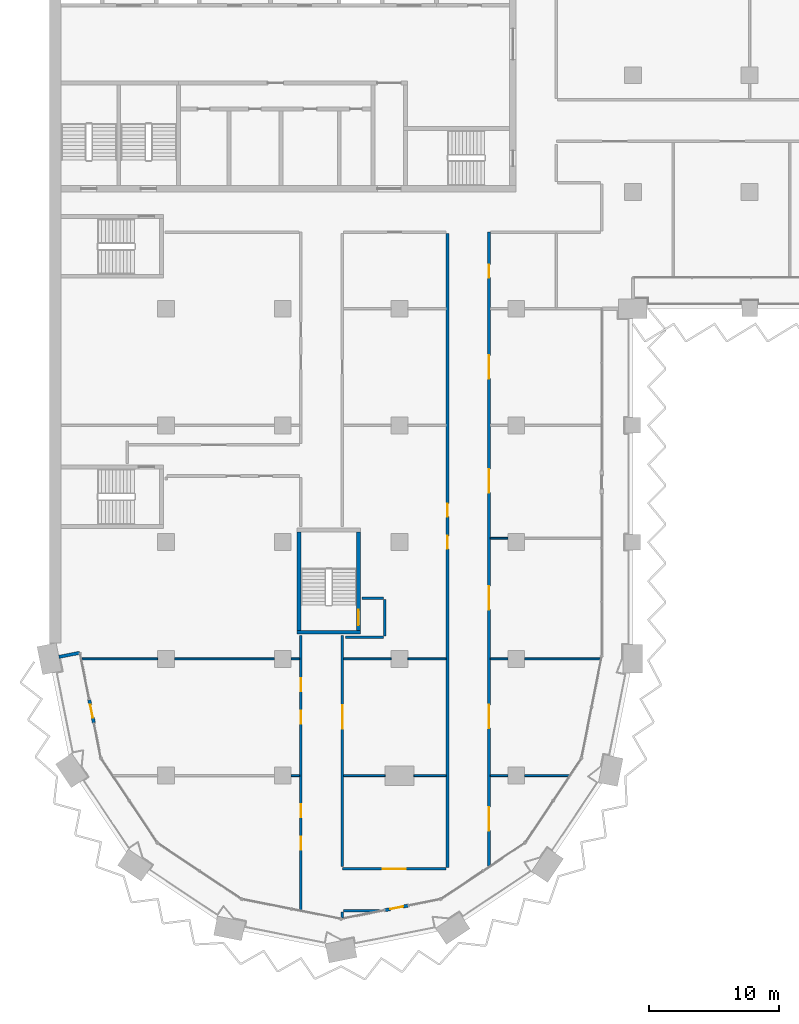
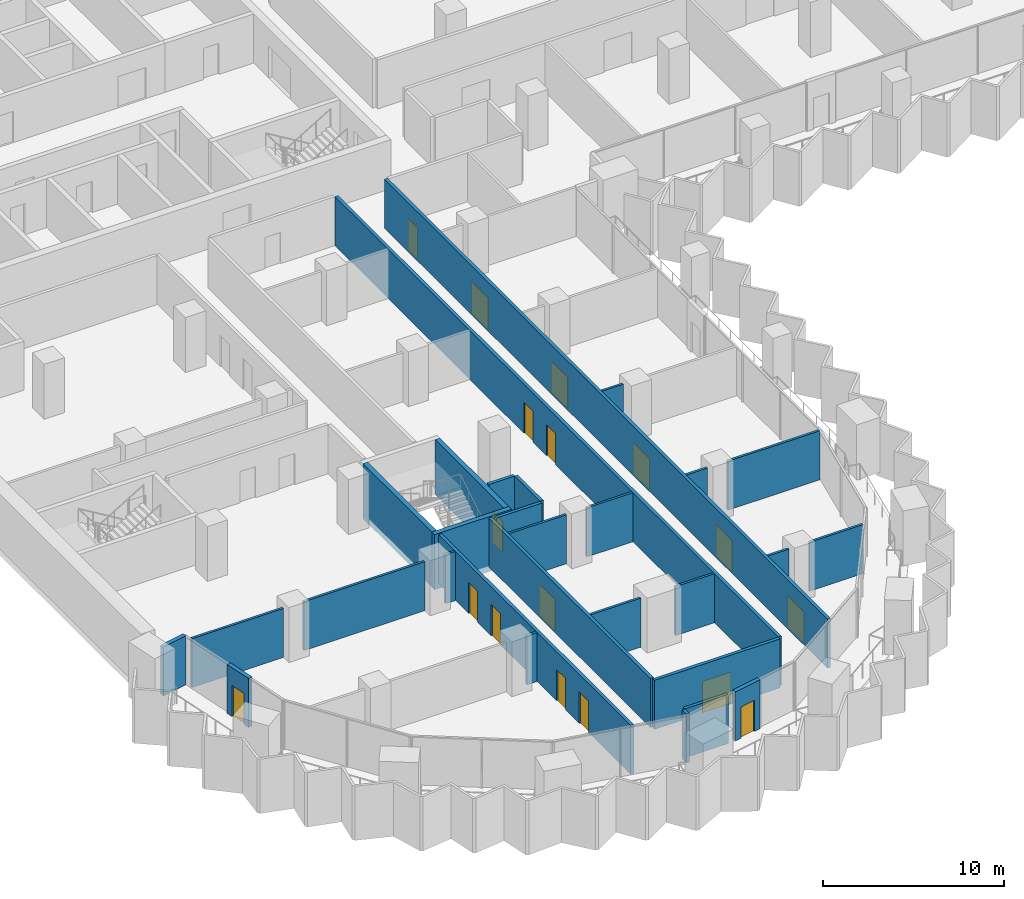
# One storey, part 9 of 22: 29 walls, 17 doors, 17 openings.
"""IFC4 building model written with IfcOpenShell, lengths in metres."""

from ifc_helpers import new_model, si_unit, direction, frame, frame_2d, origin, place, context, subcontext, project, spatial, rectangle, extrude, material, layer, layer_set, type_object, element, fill, save


model = new_model("IFC4")

# Units and contexts
model_context = context("Model", 3, precision=1e-05, world=origin(), true_north=direction((0.0, 1.0)))
body_context = subcontext(model_context, "Body", "Model", "MODEL_VIEW")
ifc_project = project(units=[si_unit("LENGTHUNIT", "METRE"), si_unit("AREAUNIT", "SQUARE_METRE"), si_unit("VOLUMEUNIT", "CUBIC_METRE"), si_unit("PLANEANGLEUNIT", "RADIAN"), si_unit("MASSUNIT", "GRAM", prefix="KILO")], contexts=[model_context])

# Site, building, storey
site_placement = place(None, origin())
site = spatial("IfcSite", under=ifc_project, at=site_placement, CompositionType="ELEMENT")
building_placement = place(site_placement, origin())
building = spatial("IfcBuilding", under=site, at=building_placement, Name="Hunhe Ridgeline Campus", CompositionType="ELEMENT")
storey_placement = place(building_placement, frame((0.0, 0.0, 84.800048828125)))
storey = spatial("IfcBuildingStorey", under=building, at=storey_placement, Name="L20", CompositionType="ELEMENT", Elevation=84.800048828125)

# Walls
ifc_material_1 = material(Name="Concrete C30", Category="concrete")
ifc_layer_1 = layer(ifc_material_1, 0.25)
ifc_layer_set_1 = layer_set([ifc_layer_1], Name="Corner return wall 250 Concrete C30")
wall_type_1 = type_object("IfcWallType", Name="Corner return wall 250 Concrete C30", PredefinedType="SOLIDWALL", material=ifc_layer_set_1)
wall_1_placement = place(storey_placement, frame((0.7353515625, 27.14697265625, 0.0), z_axis=(0.0, 0.0, 1.0), x_axis=(0.980824468215, 0.194893208067, 0.0)))
element("IfcWall", 1, at=wall_1_placement, inside=storey, type_object=wall_type_1, Name="Corner return wall 1", PredefinedType="SOLIDWALL", context=body_context, shape_type="SweptSolid", body=[
    extrude(rectangle(XDim=1.651123046875, YDim=0.25, at=frame_2d((0.82568359375, 0.0))), origin(), (0.0, 0.0, 1.0), 3.300048828125),
])
ifc_material_2 = material(Name="Gypsum board partition")
ifc_layer_2 = layer(ifc_material_2, 0.199951171875)
ifc_layer_set_2 = layer_set([ifc_layer_2], Name="Corridor partition 200 gypsum board on steel studs")
wall_type_2 = type_object("IfcWallType", Name="Corridor partition 200 gypsum board on steel studs", PredefinedType="PARTITIONING", material=ifc_layer_set_2)
wall_2_placement = place(storey_placement, frame((25.45068359375, 7.590087890625, 0.0), z_axis=(0.0, 0.0, 1.0), x_axis=(-1.0, 0.0, 0.0)))
element("IfcWall", 2, at=wall_2_placement, inside=storey, type_object=wall_type_2, Name="F-L20-wall-001", PredefinedType="PARTITIONING", context=body_context, shape_type="SweptSolid", body=[
    extrude(rectangle(XDim=2.750732421875, YDim=0.199951171875, at=frame_2d((1.37548828125, 0.0))), origin(), (0.0, 0.0, 1.0), 3.300048828125),
])

# Wall, opening, door
wall_3_placement = place(storey_placement, frame((22.60009765625, 10.799072265625, 0.0), z_axis=(0.0, 0.0, 1.0), x_axis=(1.0, 0.0, 0.0)))
wall_3 = element("IfcWall", 3, at=wall_3_placement, inside=storey, type_object=wall_type_2, Name="F-L20-wall-002", PredefinedType="PARTITIONING", context=body_context, shape_type="SweptSolid", body=[
    extrude(rectangle(XDim=8.0, YDim=0.199951171875, at=frame_2d((4.0, 0.0))), origin(), (0.0, 0.0, 1.0), 3.300048828125),
])
opening_1_placement = place(wall_3_placement, frame((3.10009765625, 0.0, 0.0)))
opening_1 = element("IfcOpeningElement", 4, at=opening_1_placement, cuts=wall_3, Name="Opening RD2-001", PredefinedType="OPENING", context=body_context, shape_type="SweptSolid", body=[
    extrude(rectangle(XDim=1.800048828125, YDim=2.10009765625, at=frame_2d((0.89990234375, 1.050048828125))), frame((0.0, 0.10009765625, 0.0), z_axis=(0.0, -1.0, 0.0), x_axis=(1.0, 0.0, 0.0)), (0.0, 0.0, 1.0), 0.199951171875),
])
ifc_material_3 = material(Name="Timber door leaf", Category="wood")
door_type_1 = type_object("IfcDoorType", Name="Double fire door 1800x2100 timber FD60", OperationType="DOUBLE_DOOR_SINGLE_SWING", PredefinedType="DOOR", material=ifc_material_3)
door_1_placement = place(opening_1_placement, origin())
door_1 = element("IfcDoor", 5, at=door_1_placement, inside=storey, type_object=door_type_1, Name="F-L20-door-001", OperationType="DOUBLE_DOOR_SINGLE_SWING", OverallHeight=2.10009765625, OverallWidth=1.800048828125, PredefinedType="DOOR", context=body_context, shape_type="SweptSolid", body=[
    extrude(rectangle(XDim=1.800048828125, YDim=2.10009765625, at=frame_2d((0.89990234375, 1.050048828125))), frame((0.0, 0.02490234375, 0.0), z_axis=(0.0, -1.0, 0.0), x_axis=(1.0, 0.0, 0.0)), (0.0, 0.0, 1.0), 0.050048828125),
])
fill(opening_1, door_1)

# Walls
wall_4_placement = place(storey_placement, frame((25.75, 28.675048828125, 0.0), z_axis=(0.0, 0.0, 1.0), x_axis=(-1.0, 0.0, 0.0)))
element("IfcWall", 6, at=wall_4_placement, inside=storey, type_object=wall_type_2, Name="F-L20-wall-017", PredefinedType="PARTITIONING", context=body_context, shape_type="SweptSolid", body=[
    extrude(rectangle(XDim=2.89990234375, YDim=0.199951171875, at=frame_2d((1.449951171875, 0.0))), origin(), (0.0, 0.0, 1.0), 3.300048828125),
])
wall_5_placement = place(storey_placement, frame((24.10400390625, 31.675048828125, 0.0), z_axis=(0.0, 0.0, 1.0), x_axis=(1.0, 0.0, 0.0)))
element("IfcWall", 7, at=wall_5_placement, inside=storey, type_object=wall_type_2, Name="F-L20-wall-018", PredefinedType="PARTITIONING", context=body_context, shape_type="SweptSolid", body=[
    extrude(rectangle(XDim=1.64599609375, YDim=0.199951171875, at=frame_2d((0.822998046875, 0.0))), origin(), (0.0, 0.0, 1.0), 3.300048828125),
])

# Wall, openings, doors
wall_6_placement = place(storey_placement, frame((19.39990234375, 7.61962890625, 0.0), z_axis=(0.0, 0.0, 1.0), x_axis=(0.0, 1.0, 0.0)))
wall_6 = element("IfcWall", 8, at=wall_6_placement, inside=storey, type_object=wall_type_2, Name="F-L20-wall-046", PredefinedType="PARTITIONING", context=body_context, shape_type="SweptSolid", body=[
    extrude(rectangle(XDim=21.17626953125, YDim=0.199951171875, at=frame_2d((10.588134765625, 0.0))), origin(), (0.0, 0.0, 1.0), 3.300048828125),
])
opening_2_placement = place(wall_6_placement, frame((4.66796875, 0.0, 0.0)))
opening_2 = element("IfcOpeningElement", 9, at=opening_2_placement, cuts=wall_6, Name="Opening RD1-002", PredefinedType="OPENING", context=body_context, shape_type="SweptSolid", body=[
    extrude(rectangle(XDim=1.0, YDim=2.10009765625, at=frame_2d((0.5, 1.050048828125))), frame((0.0, 0.10009765625, 0.0), z_axis=(0.0, -1.0, 0.0), x_axis=(1.0, 0.0, 0.0)), (0.0, 0.0, 1.0), 0.199951171875),
])
opening_3_placement = place(wall_6_placement, frame((7.16796875, 0.0, 0.0)))
opening_3 = element("IfcOpeningElement", 10, at=opening_3_placement, cuts=wall_6, Name="Opening RD1-004", PredefinedType="OPENING", context=body_context, shape_type="SweptSolid", body=[
    extrude(rectangle(XDim=1.0, YDim=2.10009765625, at=frame_2d((0.5, 1.050048828125))), frame((0.0, 0.10009765625, 0.0), z_axis=(0.0, -1.0, 0.0), x_axis=(1.0, 0.0, 0.0)), (0.0, 0.0, 1.0), 0.199951171875),
])
opening_4_placement = place(wall_6_placement, frame((14.373779296875, 0.0, 0.0)))
opening_4 = element("IfcOpeningElement", 11, at=opening_4_placement, cuts=wall_6, Name="Opening RD1-005", PredefinedType="OPENING", context=body_context, shape_type="SweptSolid", body=[
    extrude(rectangle(XDim=1.0, YDim=2.10009765625, at=frame_2d((0.5, 1.050048828125))), frame((0.0, 0.10009765625, 0.0), z_axis=(0.0, -1.0, 0.0), x_axis=(1.0, 0.0, 0.0)), (0.0, 0.0, 1.0), 0.199951171875),
])
opening_5_placement = place(wall_6_placement, frame((16.873779296875, 0.0, 0.0)))
opening_5 = element("IfcOpeningElement", 12, at=opening_5_placement, cuts=wall_6, Name="Opening RD1-008", PredefinedType="OPENING", context=body_context, shape_type="SweptSolid", body=[
    extrude(rectangle(XDim=1.0, YDim=2.10009765625, at=frame_2d((0.5, 1.050048828125))), frame((0.0, 0.10009765625, 0.0), z_axis=(0.0, -1.0, 0.0), x_axis=(1.0, 0.0, 0.0)), (0.0, 0.0, 1.0), 0.199951171875),
])
door_type_2 = type_object("IfcDoorType", Name="Single fire door 1000x2100 timber FD60", OperationType="NOTDEFINED", PredefinedType="DOOR", material=ifc_material_3)
door_2_placement = place(opening_2_placement, frame((1.0, 0.0, 0.0), z_axis=(0.0, 0.0, 1.0), x_axis=(-1.0, 0.0, 0.0)))
door_2 = element("IfcDoor", 13, at=door_2_placement, inside=storey, type_object=door_type_2, Name="F-L20-door-002", OperationType="SINGLE_SWING_RIGHT", OverallHeight=2.10009765625, OverallWidth=1.0, PredefinedType="DOOR", context=body_context, shape_type="SweptSolid", body=[
    extrude(rectangle(XDim=1.0, YDim=2.10009765625, at=frame_2d((0.5, 1.050048828125))), frame((0.0, 0.02490234375, 0.0), z_axis=(0.0, -1.0, 0.0), x_axis=(1.0, 0.0, 0.0)), (0.0, 0.0, 1.0), 0.050048828125),
])
fill(opening_2, door_2)
door_3_placement = place(opening_3_placement, frame((1.0, 0.0, 0.0), z_axis=(0.0, 0.0, 1.0), x_axis=(-1.0, 0.0, 0.0)))
door_3 = element("IfcDoor", 14, at=door_3_placement, inside=storey, type_object=door_type_2, Name="F-L20-door-004", OperationType="SINGLE_SWING_LEFT", OverallHeight=2.10009765625, OverallWidth=1.0, PredefinedType="DOOR", context=body_context, shape_type="SweptSolid", body=[
    extrude(rectangle(XDim=1.0, YDim=2.10009765625, at=frame_2d((0.5, 1.050048828125))), frame((0.0, 0.02490234375, 0.0), z_axis=(0.0, -1.0, 0.0), x_axis=(1.0, 0.0, 0.0)), (0.0, 0.0, 1.0), 0.050048828125),
])
fill(opening_3, door_3)
door_4_placement = place(opening_4_placement, frame((1.0, 0.0, 0.0), z_axis=(0.0, 0.0, 1.0), x_axis=(-1.0, 0.0, 0.0)))
door_4 = element("IfcDoor", 15, at=door_4_placement, inside=storey, type_object=door_type_2, Name="F-L20-door-005", OperationType="SINGLE_SWING_LEFT", OverallHeight=2.10009765625, OverallWidth=1.0, PredefinedType="DOOR", context=body_context, shape_type="SweptSolid", body=[
    extrude(rectangle(XDim=1.0, YDim=2.10009765625, at=frame_2d((0.5, 1.050048828125))), frame((0.0, 0.02490234375, 0.0), z_axis=(0.0, -1.0, 0.0), x_axis=(1.0, 0.0, 0.0)), (0.0, 0.0, 1.0), 0.050048828125),
])
fill(opening_4, door_4)
door_5_placement = place(opening_5_placement, frame((1.0, 0.0, 0.0), z_axis=(0.0, 0.0, 1.0), x_axis=(-1.0, 0.0, 0.0)))
door_5 = element("IfcDoor", 16, at=door_5_placement, inside=storey, type_object=door_type_2, Name="F-L20-door-008", OperationType="SINGLE_SWING_LEFT", OverallHeight=2.10009765625, OverallWidth=1.0, PredefinedType="DOOR", context=body_context, shape_type="SweptSolid", body=[
    extrude(rectangle(XDim=1.0, YDim=2.10009765625, at=frame_2d((0.5, 1.050048828125))), frame((0.0, 0.02490234375, 0.0), z_axis=(0.0, -1.0, 0.0), x_axis=(1.0, 0.0, 0.0)), (0.0, 0.0, 1.0), 0.050048828125),
])
fill(opening_5, door_5)

# Wall, opening, door
wall_7_placement = place(storey_placement, frame((22.60009765625, 28.7958984375, 0.0), z_axis=(0.0, 0.0, 1.0), x_axis=(0.0, -1.0, 0.0)))
wall_7 = element("IfcWall", 17, at=wall_7_placement, inside=storey, type_object=wall_type_2, Name="F-L20-wall-049", PredefinedType="PARTITIONING", context=body_context, shape_type="SweptSolid", body=[
    extrude(rectangle(XDim=17.814208984375, YDim=0.199951171875, at=frame_2d((8.9072265625, 0.0))), origin(), (0.0, 0.0, 1.0), 3.300048828125),
])
opening_6_placement = place(wall_7_placement, frame((5.37255859375, 0.0, 0.0)))
opening_6 = element("IfcOpeningElement", 18, at=opening_6_placement, cuts=wall_7, Name="Opening RD2-006", PredefinedType="OPENING", context=body_context, shape_type="SweptSolid", body=[
    extrude(rectangle(XDim=1.800048828125, YDim=2.10009765625, at=frame_2d((0.89990234375, 1.050048828125))), frame((0.0, 0.10009765625, 0.0), z_axis=(0.0, -1.0, 0.0), x_axis=(1.0, 0.0, 0.0)), (0.0, 0.0, 1.0), 0.199951171875),
])
door_6_placement = place(opening_6_placement, origin())
door_6 = element("IfcDoor", 19, at=door_6_placement, inside=storey, type_object=door_type_1, Name="F-L20-door-006", OperationType="DOUBLE_DOOR_SINGLE_SWING", OverallHeight=2.10009765625, OverallWidth=1.800048828125, PredefinedType="DOOR", context=body_context, shape_type="SweptSolid", body=[
    extrude(rectangle(XDim=1.800048828125, YDim=2.10009765625, at=frame_2d((0.89990234375, 1.050048828125))), frame((0.0, 0.02490234375, 0.0), z_axis=(0.0, -1.0, 0.0), x_axis=(1.0, 0.0, 0.0)), (0.0, 0.0, 1.0), 0.050048828125),
])
fill(opening_6, door_6)

# Walls
wall_8_placement = place(storey_placement, frame((22.60009765625, 7.489990234375, 0.0), z_axis=(0.0, 0.0, 1.0), x_axis=(0.0, -1.0, 0.0)))
element("IfcWall", 20, at=wall_8_placement, inside=storey, type_object=wall_type_2, Name="F-L20-wall-050", PredefinedType="PARTITIONING", context=body_context, shape_type="SweptSolid", body=[
    extrude(rectangle(XDim=0.467041015625, YDim=0.199951171875, at=frame_2d((0.2333984375, 0.0))), origin(), (0.0, 0.0, 1.0), 3.300048828125),
])
wall_9_placement = place(storey_placement, frame((25.85009765625, 31.574951171875, 0.0), z_axis=(0.0, 0.0, 1.0), x_axis=(0.0, -1.0, 0.0)))
element("IfcWall", 21, at=wall_9_placement, inside=storey, type_object=wall_type_2, Name="F-L20-wall-052", PredefinedType="PARTITIONING", context=body_context, shape_type="SweptSolid", body=[
    extrude(rectangle(XDim=2.800048828125, YDim=0.199951171875, at=frame_2d((1.39990234375, 0.0))), origin(), (0.0, 0.0, 1.0), 3.300048828125),
])

# Wall, openings, doors
wall_10_placement = place(storey_placement, frame((30.699951171875, 10.89892578125, 0.0), z_axis=(0.0, 0.0, 1.0), x_axis=(0.0, 1.0, 0.0)))
wall_10 = element("IfcWall", 22, at=wall_10_placement, inside=storey, type_object=wall_type_2, Name="F-L20-wall-053", PredefinedType="PARTITIONING", context=body_context, shape_type="SweptSolid", body=[
    extrude(rectangle(XDim=48.901123046875, YDim=0.199951171875, at=frame_2d((24.45068359375, 0.0))), origin(), (0.0, 0.0, 1.0), 3.300048828125),
])
opening_7_placement = place(wall_10_placement, frame((24.577392578125, 0.0, 0.0)))
opening_7 = element("IfcOpeningElement", 23, at=opening_7_placement, cuts=wall_10, Name="Opening RD1-010", PredefinedType="OPENING", context=body_context, shape_type="SweptSolid", body=[
    extrude(rectangle(XDim=1.0, YDim=2.10009765625, at=frame_2d((0.5, 1.050048828125))), frame((0.0, 0.10009765625, 0.0), z_axis=(0.0, -1.0, 0.0), x_axis=(1.0, 0.0, 0.0)), (0.0, 0.0, 1.0), 0.199951171875),
])
opening_8_placement = place(wall_10_placement, frame((27.077392578125, 0.0, 0.0)))
opening_8 = element("IfcOpeningElement", 24, at=opening_8_placement, cuts=wall_10, Name="Opening RD1-011", PredefinedType="OPENING", context=body_context, shape_type="SweptSolid", body=[
    extrude(rectangle(XDim=1.0, YDim=2.10009765625, at=frame_2d((0.5, 1.050048828125))), frame((0.0, 0.10009765625, 0.0), z_axis=(0.0, -1.0, 0.0), x_axis=(1.0, 0.0, 0.0)), (0.0, 0.0, 1.0), 0.199951171875),
])
door_7_placement = place(opening_7_placement, frame((1.0, 0.0, 0.0), z_axis=(0.0, 0.0, 1.0), x_axis=(-1.0, 0.0, 0.0)))
door_7 = element("IfcDoor", 25, at=door_7_placement, inside=storey, type_object=door_type_2, Name="F-L20-door-010", OperationType="SINGLE_SWING_RIGHT", OverallHeight=2.10009765625, OverallWidth=1.0, PredefinedType="DOOR", context=body_context, shape_type="SweptSolid", body=[
    extrude(rectangle(XDim=1.0, YDim=2.10009765625, at=frame_2d((0.5, 1.050048828125))), frame((0.0, 0.02490234375, 0.0), z_axis=(0.0, -1.0, 0.0), x_axis=(1.0, 0.0, 0.0)), (0.0, 0.0, 1.0), 0.050048828125),
])
fill(opening_7, door_7)
door_8_placement = place(opening_8_placement, frame((1.0, 0.0, 0.0), z_axis=(0.0, 0.0, 1.0), x_axis=(-1.0, 0.0, 0.0)))
door_8 = element("IfcDoor", 26, at=door_8_placement, inside=storey, type_object=door_type_2, Name="F-L20-door-011", OperationType="SINGLE_SWING_LEFT", OverallHeight=2.10009765625, OverallWidth=1.0, PredefinedType="DOOR", context=body_context, shape_type="SweptSolid", body=[
    extrude(rectangle(XDim=1.0, YDim=2.10009765625, at=frame_2d((0.5, 1.050048828125))), frame((0.0, 0.02490234375, 0.0), z_axis=(0.0, -1.0, 0.0), x_axis=(1.0, 0.0, 0.0)), (0.0, 0.0, 1.0), 0.050048828125),
])
fill(opening_8, door_8)

wall_11_placement = place(storey_placement, frame((33.89990234375, 59.89990234375, 0.0), z_axis=(0.0, 0.0, 1.0), x_axis=(0.0, -1.0, 0.0)))
wall_11 = element("IfcWall", 27, at=wall_11_placement, inside=storey, type_object=wall_type_2, Name="F-L20-wall-054", PredefinedType="PARTITIONING", context=body_context, shape_type="SweptSolid", body=[
    extrude(rectangle(XDim=48.87060546875, YDim=0.199951171875, at=frame_2d((24.435302734375, 0.0))), origin(), (0.0, 0.0, 1.0), 3.300048828125),
])
opening_9_placement = place(wall_11_placement, frame((44.336669921875, 0.0, 0.0)))
opening_9 = element("IfcOpeningElement", 28, at=opening_9_placement, cuts=wall_11, Name="Opening RD2-003", PredefinedType="OPENING", context=body_context, shape_type="SweptSolid", body=[
    extrude(rectangle(XDim=1.800048828125, YDim=2.10009765625, at=frame_2d((0.89990234375, 1.050048828125))), frame((0.0, 0.10009765625, 0.0), z_axis=(0.0, -1.0, 0.0), x_axis=(1.0, 0.0, 0.0)), (0.0, 0.0, 1.0), 0.199951171875),
])
opening_10_placement = place(wall_11_placement, frame((36.442138671875, 0.0, 0.0)))
opening_10 = element("IfcOpeningElement", 29, at=opening_10_placement, cuts=wall_11, Name="Opening RD2-007", PredefinedType="OPENING", context=body_context, shape_type="SweptSolid", body=[
    extrude(rectangle(XDim=1.800048828125, YDim=2.10009765625, at=frame_2d((0.89990234375, 1.050048828125))), frame((0.0, 0.10009765625, 0.0), z_axis=(0.0, -1.0, 0.0), x_axis=(1.0, 0.0, 0.0)), (0.0, 0.0, 1.0), 0.199951171875),
])
opening_11_placement = place(wall_11_placement, frame((27.294677734375, 0.0, 0.0)))
opening_11 = element("IfcOpeningElement", 30, at=opening_11_placement, cuts=wall_11, Name="Opening RD2-009", PredefinedType="OPENING", context=body_context, shape_type="SweptSolid", body=[
    extrude(rectangle(XDim=1.800048828125, YDim=2.10009765625, at=frame_2d((0.89990234375, 1.050048828125))), frame((0.0, 0.10009765625, 0.0), z_axis=(0.0, -1.0, 0.0), x_axis=(1.0, 0.0, 0.0)), (0.0, 0.0, 1.0), 0.199951171875),
])
opening_12_placement = place(wall_11_placement, frame((18.2724609375, 0.0, 0.0)))
opening_12 = element("IfcOpeningElement", 31, at=opening_12_placement, cuts=wall_11, Name="Opening RD2-012", PredefinedType="OPENING", context=body_context, shape_type="SweptSolid", body=[
    extrude(rectangle(XDim=1.800048828125, YDim=2.10009765625, at=frame_2d((0.89990234375, 1.050048828125))), frame((0.0, 0.10009765625, 0.0), z_axis=(0.0, -1.0, 0.0), x_axis=(1.0, 0.0, 0.0)), (0.0, 0.0, 1.0), 0.199951171875),
])
opening_13_placement = place(wall_11_placement, frame((9.500732421875, 0.0, 0.0)))
opening_13 = element("IfcOpeningElement", 32, at=opening_13_placement, cuts=wall_11, Name="Opening RD2-017", PredefinedType="OPENING", context=body_context, shape_type="SweptSolid", body=[
    extrude(rectangle(XDim=1.800048828125, YDim=2.10009765625, at=frame_2d((0.89990234375, 1.050048828125))), frame((0.0, 0.10009765625, 0.0), z_axis=(0.0, -1.0, 0.0), x_axis=(1.0, 0.0, 0.0)), (0.0, 0.0, 1.0), 0.199951171875),
])
opening_14_placement = place(wall_11_placement, frame((2.50732421875, 0.0, 0.0)))
opening_14 = element("IfcOpeningElement", 33, at=opening_14_placement, cuts=wall_11, Name="Opening RD1-020", PredefinedType="OPENING", context=body_context, shape_type="SweptSolid", body=[
    extrude(rectangle(XDim=1.0, YDim=2.10009765625, at=frame_2d((0.5, 1.050048828125))), frame((0.0, 0.10009765625, 0.0), z_axis=(0.0, -1.0, 0.0), x_axis=(1.0, 0.0, 0.0)), (0.0, 0.0, 1.0), 0.199951171875),
])
door_9_placement = place(opening_9_placement, origin())
door_9 = element("IfcDoor", 34, at=door_9_placement, inside=storey, type_object=door_type_1, Name="F-L20-door-003", OperationType="DOUBLE_DOOR_SINGLE_SWING", OverallHeight=2.10009765625, OverallWidth=1.800048828125, PredefinedType="DOOR", context=body_context, shape_type="SweptSolid", body=[
    extrude(rectangle(XDim=1.800048828125, YDim=2.10009765625, at=frame_2d((0.89990234375, 1.050048828125))), frame((0.0, 0.02490234375, 0.0), z_axis=(0.0, -1.0, 0.0), x_axis=(1.0, 0.0, 0.0)), (0.0, 0.0, 1.0), 0.050048828125),
])
fill(opening_9, door_9)
door_10_placement = place(opening_10_placement, origin())
door_10 = element("IfcDoor", 35, at=door_10_placement, inside=storey, type_object=door_type_1, Name="F-L20-door-007", OperationType="DOUBLE_DOOR_SINGLE_SWING", OverallHeight=2.10009765625, OverallWidth=1.800048828125, PredefinedType="DOOR", context=body_context, shape_type="SweptSolid", body=[
    extrude(rectangle(XDim=1.800048828125, YDim=2.10009765625, at=frame_2d((0.89990234375, 1.050048828125))), frame((0.0, 0.02490234375, 0.0), z_axis=(0.0, -1.0, 0.0), x_axis=(1.0, 0.0, 0.0)), (0.0, 0.0, 1.0), 0.050048828125),
])
fill(opening_10, door_10)
door_11_placement = place(opening_11_placement, origin())
door_11 = element("IfcDoor", 36, at=door_11_placement, inside=storey, type_object=door_type_1, Name="F-L20-door-009", OperationType="DOUBLE_DOOR_SINGLE_SWING", OverallHeight=2.10009765625, OverallWidth=1.800048828125, PredefinedType="DOOR", context=body_context, shape_type="SweptSolid", body=[
    extrude(rectangle(XDim=1.800048828125, YDim=2.10009765625, at=frame_2d((0.89990234375, 1.050048828125))), frame((0.0, 0.02490234375, 0.0), z_axis=(0.0, -1.0, 0.0), x_axis=(1.0, 0.0, 0.0)), (0.0, 0.0, 1.0), 0.050048828125),
])
fill(opening_11, door_11)
door_12_placement = place(opening_12_placement, origin())
door_12 = element("IfcDoor", 37, at=door_12_placement, inside=storey, type_object=door_type_1, Name="F-L20-door-012", OperationType="DOUBLE_DOOR_SINGLE_SWING", OverallHeight=2.10009765625, OverallWidth=1.800048828125, PredefinedType="DOOR", context=body_context, shape_type="SweptSolid", body=[
    extrude(rectangle(XDim=1.800048828125, YDim=2.10009765625, at=frame_2d((0.89990234375, 1.050048828125))), frame((0.0, 0.02490234375, 0.0), z_axis=(0.0, -1.0, 0.0), x_axis=(1.0, 0.0, 0.0)), (0.0, 0.0, 1.0), 0.050048828125),
])
fill(opening_12, door_12)
door_13_placement = place(opening_13_placement, origin())
door_13 = element("IfcDoor", 38, at=door_13_placement, inside=storey, type_object=door_type_1, Name="F-L20-door-017", OperationType="DOUBLE_DOOR_SINGLE_SWING", OverallHeight=2.10009765625, OverallWidth=1.800048828125, PredefinedType="DOOR", context=body_context, shape_type="SweptSolid", body=[
    extrude(rectangle(XDim=1.800048828125, YDim=2.10009765625, at=frame_2d((0.89990234375, 1.050048828125))), frame((0.0, 0.02490234375, 0.0), z_axis=(0.0, -1.0, 0.0), x_axis=(1.0, 0.0, 0.0)), (0.0, 0.0, 1.0), 0.050048828125),
])
fill(opening_13, door_13)
door_14_placement = place(opening_14_placement, origin())
door_14 = element("IfcDoor", 39, at=door_14_placement, inside=storey, type_object=door_type_2, Name="F-L20-door-020", OperationType="SINGLE_SWING_LEFT", OverallHeight=2.10009765625, OverallWidth=1.0, PredefinedType="DOOR", context=body_context, shape_type="SweptSolid", body=[
    extrude(rectangle(XDim=1.0, YDim=2.10009765625, at=frame_2d((0.5, 1.050048828125))), frame((0.0, 0.02490234375, 0.0), z_axis=(0.0, -1.0, 0.0), x_axis=(1.0, 0.0, 0.0)), (0.0, 0.0, 1.0), 0.050048828125),
])
fill(opening_14, door_14)

# Wall, opening, door
ifc_layer_3 = layer(ifc_material_1, 0.25)
ifc_layer_set_3 = layer_set([ifc_layer_3], Name="Loggia door pier wall 250 Concrete C30")
wall_type_3 = type_object("IfcWallType", Name="Loggia door pier wall 250 Concrete C30", PredefinedType="SOLIDWALL", material=ifc_layer_set_3)
wall_12_placement = place(storey_placement, frame((3.076904296875, 23.8388671875, 0.0), z_axis=(0.0, 0.0, 1.0), x_axis=(0.195046569833, -0.980793982239, 0.0)))
wall_12 = element("IfcWall", 40, at=wall_12_placement, inside=storey, type_object=wall_type_3, Name="Loggia door pier 1", PredefinedType="SOLIDWALL", context=body_context, shape_type="SweptSolid", body=[
    extrude(rectangle(XDim=1.800048828125, YDim=0.25, at=frame_2d((0.89990234375, 0.0))), origin(), (0.0, 0.0, 1.0), 3.300048828125),
])
opening_15_placement = place(wall_12_placement, frame((0.39990234375, 0.0, 0.0)))
opening_15 = element("IfcOpeningElement", 41, at=opening_15_placement, cuts=wall_12, Name="Opening BD201", PredefinedType="OPENING", context=body_context, shape_type="SweptSolid", body=[
    extrude(rectangle(XDim=1.0, YDim=2.10009765625, at=frame_2d((0.5, 1.050048828125))), frame((0.0, 0.125, 0.0), z_axis=(0.0, -1.0, 0.0), x_axis=(1.0, 0.0, 0.0)), (0.0, 0.0, 1.0), 0.25),
])
ifc_material_4 = material(Name="Aluminium 6063", Category="aluminium")
door_type_3 = type_object("IfcDoorType", Name="Loggia glazed door 1000x2100", OperationType="NOTDEFINED", PredefinedType="DOOR", material=ifc_material_4)
door_15_placement = place(opening_15_placement, frame((1.0, 0.0, 0.0), z_axis=(0.0, 0.0, 1.0), x_axis=(-1.0, 0.0, 0.0)))
door_15 = element("IfcDoor", 42, at=door_15_placement, inside=storey, type_object=door_type_3, Name="Loggia door BD201", OperationType="SINGLE_SWING_RIGHT", OverallHeight=2.10009765625, OverallWidth=1.0, PredefinedType="DOOR", context=body_context, shape_type="SweptSolid", body=[
    extrude(rectangle(XDim=1.0, YDim=2.10009765625, at=frame_2d((0.5, 1.050048828125))), frame((0.0, 0.02490234375, 0.0), z_axis=(0.0, -1.0, 0.0), x_axis=(1.0, 0.0, 0.0)), (0.0, 0.0, 1.0), 0.050048828125),
])
fill(opening_15, door_15)

wall_13_placement = place(storey_placement, frame((25.8955078125, 7.62353515625, 0.0), z_axis=(0.0, 0.0, 1.0), x_axis=(0.980793982239, 0.195046569833, 0.0)))
wall_13 = element("IfcWall", 43, at=wall_13_placement, inside=storey, type_object=wall_type_3, Name="Loggia door pier 2", PredefinedType="SOLIDWALL", context=body_context, shape_type="SweptSolid", body=[
    extrude(rectangle(XDim=1.800048828125, YDim=0.25, at=frame_2d((0.89990234375, 0.0))), origin(), (0.0, 0.0, 1.0), 3.300048828125),
])
opening_16_placement = place(wall_13_placement, frame((0.39990234375, 0.0, 0.0)))
opening_16 = element("IfcOpeningElement", 44, at=opening_16_placement, cuts=wall_13, Name="Opening BD203", PredefinedType="OPENING", context=body_context, shape_type="SweptSolid", body=[
    extrude(rectangle(XDim=1.0, YDim=2.10009765625, at=frame_2d((0.5, 1.050048828125))), frame((0.0, 0.125, 0.0), z_axis=(0.0, -1.0, 0.0), x_axis=(1.0, 0.0, 0.0)), (0.0, 0.0, 1.0), 0.25),
])
door_16_placement = place(opening_16_placement, frame((1.0, 0.0, 0.0), z_axis=(0.0, 0.0, 1.0), x_axis=(-1.0, 0.0, 0.0)))
door_16 = element("IfcDoor", 45, at=door_16_placement, inside=storey, type_object=door_type_3, Name="Loggia door BD203", OperationType="SINGLE_SWING_RIGHT", OverallHeight=2.10009765625, OverallWidth=1.0, PredefinedType="DOOR", context=body_context, shape_type="SweptSolid", body=[
    extrude(rectangle(XDim=1.0, YDim=2.10009765625, at=frame_2d((0.5, 1.050048828125))), frame((0.0, 0.02490234375, 0.0), z_axis=(0.0, -1.0, 0.0), x_axis=(1.0, 0.0, 0.0)), (0.0, 0.0, 1.0), 0.050048828125),
])
fill(opening_16, door_16)

# Walls
ifc_layer_4 = layer(ifc_material_2, 0.14990234375)
ifc_layer_set_4 = layer_set([ifc_layer_4], Name="Room partition 150 gypsum board on steel studs")
wall_type_4 = type_object("IfcWallType", Name="Room partition 150 gypsum board on steel studs", PredefinedType="PARTITIONING", material=ifc_layer_set_4)
wall_14_placement = place(storey_placement, frame((18.64990234375, 18.0, 0.0), z_axis=(0.0, 0.0, 1.0), x_axis=(1.0, 0.0, 0.0)))
element("IfcWall", 46, at=wall_14_placement, inside=storey, type_object=wall_type_4, Name="F-L20-wall-005", PredefinedType="PARTITIONING", context=body_context, shape_type="SweptSolid", body=[
    extrude(rectangle(XDim=0.650146484375, YDim=0.14990234375, at=frame_2d((0.3251953125, 0.0))), origin(), (0.0, 0.0, 1.0), 3.300048828125),
])
wall_15_placement = place(storey_placement, frame((22.699951171875, 18.0, 0.0), z_axis=(0.0, 0.0, 1.0), x_axis=(1.0, 0.0, 0.0)))
element("IfcWall", 47, at=wall_15_placement, inside=storey, type_object=wall_type_4, Name="F-L20-wall-006", PredefinedType="PARTITIONING", context=body_context, shape_type="SweptSolid", body=[
    extrude(rectangle(XDim=3.199951171875, YDim=0.14990234375, at=frame_2d((1.60009765625, 0.0))), origin(), (0.0, 0.0, 1.0), 3.300048828125),
])
wall_16_placement = place(storey_placement, frame((28.10009765625, 18.0, 0.0), z_axis=(0.0, 0.0, 1.0), x_axis=(1.0, 0.0, 0.0)))
element("IfcWall", 48, at=wall_16_placement, inside=storey, type_object=wall_type_4, Name="F-L20-wall-007", PredefinedType="PARTITIONING", context=body_context, shape_type="SweptSolid", body=[
    extrude(rectangle(XDim=2.5, YDim=0.14990234375, at=frame_2d((1.25, 0.0))), origin(), (0.0, 0.0, 1.0), 3.300048828125),
])
wall_17_placement = place(storey_placement, frame((34.0, 18.0, 0.0), z_axis=(0.0, 0.0, 1.0), x_axis=(1.0, 0.0, 0.0)))
element("IfcWall", 49, at=wall_17_placement, inside=storey, type_object=wall_type_4, Name="F-L20-wall-008", PredefinedType="PARTITIONING", context=body_context, shape_type="SweptSolid", body=[
    extrude(rectangle(XDim=1.35009765625, YDim=0.14990234375, at=frame_2d((0.675048828125, 0.0))), origin(), (0.0, 0.0, 1.0), 3.300048828125),
])
wall_18_placement = place(storey_placement, frame((36.64990234375, 18.0, 0.0), z_axis=(0.0, 0.0, 1.0), x_axis=(1.0, 0.0, 0.0)))
element("IfcWall", 50, at=wall_18_placement, inside=storey, type_object=wall_type_4, Name="F-L20-wall-009", PredefinedType="PARTITIONING", context=body_context, shape_type="SweptSolid", body=[
    extrude(rectangle(XDim=3.424560546875, YDim=0.14990234375, at=frame_2d((1.71240234375, 0.0))), origin(), (0.0, 0.0, 1.0), 3.300048828125),
])
wall_19_placement = place(storey_placement, frame((2.503173828125, 27.0, 0.0), z_axis=(0.0, 0.0, 1.0), x_axis=(1.0, 0.0, 0.0)))
element("IfcWall", 51, at=wall_19_placement, inside=storey, type_object=wall_type_4, Name="F-L20-wall-010", PredefinedType="PARTITIONING", context=body_context, shape_type="SweptSolid", body=[
    extrude(rectangle(XDim=5.846923828125, YDim=0.14990234375, at=frame_2d((2.92333984375, 0.0))), origin(), (0.0, 0.0, 1.0), 3.300048828125),
])
wall_20_placement = place(storey_placement, frame((9.64990234375, 27.0, 0.0), z_axis=(0.0, 0.0, 1.0), x_axis=(1.0, 0.0, 0.0)))
element("IfcWall", 52, at=wall_20_placement, inside=storey, type_object=wall_type_4, Name="F-L20-wall-011", PredefinedType="PARTITIONING", context=body_context, shape_type="SweptSolid", body=[
    extrude(rectangle(XDim=7.7001953125, YDim=0.14990234375, at=frame_2d((3.85009765625, 0.0))), origin(), (0.0, 0.0, 1.0), 3.300048828125),
])
wall_21_placement = place(storey_placement, frame((18.64990234375, 27.0, 0.0), z_axis=(0.0, 0.0, 1.0), x_axis=(1.0, 0.0, 0.0)))
element("IfcWall", 53, at=wall_21_placement, inside=storey, type_object=wall_type_4, Name="F-L20-wall-012", PredefinedType="PARTITIONING", context=body_context, shape_type="SweptSolid", body=[
    extrude(rectangle(XDim=0.650146484375, YDim=0.14990234375, at=frame_2d((0.3251953125, 0.0))), origin(), (0.0, 0.0, 1.0), 3.300048828125),
])
wall_22_placement = place(storey_placement, frame((22.699951171875, 27.0, 0.0), z_axis=(0.0, 0.0, 1.0), x_axis=(1.0, 0.0, 0.0)))
element("IfcWall", 54, at=wall_22_placement, inside=storey, type_object=wall_type_4, Name="F-L20-wall-013", PredefinedType="PARTITIONING", context=body_context, shape_type="SweptSolid", body=[
    extrude(rectangle(XDim=3.650146484375, YDim=0.14990234375, at=frame_2d((1.8251953125, 0.0))), origin(), (0.0, 0.0, 1.0), 3.300048828125),
])
wall_23_placement = place(storey_placement, frame((27.64990234375, 27.0, 0.0), z_axis=(0.0, 0.0, 1.0), x_axis=(1.0, 0.0, 0.0)))
element("IfcWall", 55, at=wall_23_placement, inside=storey, type_object=wall_type_4, Name="F-L20-wall-014", PredefinedType="PARTITIONING", context=body_context, shape_type="SweptSolid", body=[
    extrude(rectangle(XDim=2.9501953125, YDim=0.14990234375, at=frame_2d((1.47509765625, 0.0))), origin(), (0.0, 0.0, 1.0), 3.300048828125),
])
wall_24_placement = place(storey_placement, frame((34.0, 27.0, 0.0), z_axis=(0.0, 0.0, 1.0), x_axis=(1.0, 0.0, 0.0)))
element("IfcWall", 56, at=wall_24_placement, inside=storey, type_object=wall_type_4, Name="F-L20-wall-015", PredefinedType="PARTITIONING", context=body_context, shape_type="SweptSolid", body=[
    extrude(rectangle(XDim=1.35009765625, YDim=0.14990234375, at=frame_2d((0.675048828125, 0.0))), origin(), (0.0, 0.0, 1.0), 3.300048828125),
])
wall_25_placement = place(storey_placement, frame((36.64990234375, 27.0, 0.0), z_axis=(0.0, 0.0, 1.0), x_axis=(1.0, 0.0, 0.0)))
element("IfcWall", 57, at=wall_25_placement, inside=storey, type_object=wall_type_4, Name="F-L20-wall-016", PredefinedType="PARTITIONING", context=body_context, shape_type="SweptSolid", body=[
    extrude(rectangle(XDim=5.846923828125, YDim=0.14990234375, at=frame_2d((2.92333984375, 0.0))), origin(), (0.0, 0.0, 1.0), 3.300048828125),
])
wall_26_placement = place(storey_placement, frame((34.0, 36.300048828125, 0.0), z_axis=(0.0, 0.0, 1.0), x_axis=(1.0, 0.0, 0.0)))
element("IfcWall", 58, at=wall_26_placement, inside=storey, type_object=wall_type_4, Name="F-L20-wall-019", PredefinedType="PARTITIONING", context=body_context, shape_type="SweptSolid", body=[
    extrude(rectangle(XDim=1.35009765625, YDim=0.14990234375, at=frame_2d((0.675048828125, 0.0))), origin(), (0.0, 0.0, 1.0), 3.300048828125),
])
ifc_material_5 = material(Name="Concrete C80", Category="concrete")
ifc_layer_5 = layer(ifc_material_5, 0.300048828125)
ifc_layer_set_5 = layer_set([ifc_layer_5], Name="Stair wall 300 reinforced concrete C80")
wall_type_5 = type_object("IfcWallType", Name="Stair wall 300 reinforced concrete C80", PredefinedType="SOLIDWALL", material=ifc_layer_set_5)
wall_27_placement = place(storey_placement, frame((19.10009765625, 29.050048828125, -0.400146484375), z_axis=(0.0, 0.0, 1.0), x_axis=(1.0, 0.0, 0.0)))
element("IfcWall", 59, at=wall_27_placement, inside=storey, type_object=wall_type_5, Name="L20 core wall 1", PredefinedType="SOLIDWALL", context=body_context, shape_type="SweptSolid", body=[
    extrude(rectangle(XDim=4.89990234375, YDim=0.300048828125, at=frame_2d((2.449951171875, 0.0))), origin(), (0.0, 0.0, 1.0), 3.7001953125),
])
wall_28_placement = place(storey_placement, frame((19.25, 29.199951171875, -0.400146484375), z_axis=(0.0, 0.0, 1.0), x_axis=(0.0, 1.0, 0.0)))
element("IfcWall", 60, at=wall_28_placement, inside=storey, type_object=wall_type_5, Name="L20 core wall 48", PredefinedType="SOLIDWALL", context=body_context, shape_type="SweptSolid", body=[
    extrude(rectangle(XDim=7.60009765625, YDim=0.300048828125, at=frame_2d((3.800048828125, 0.0))), origin(), (0.0, 0.0, 1.0), 3.7001953125),
])

# Wall, opening, door
wall_29_placement = place(storey_placement, frame((23.85009765625, 29.199951171875, -0.400146484375), z_axis=(0.0, 0.0, 1.0), x_axis=(0.0, 1.0, 0.0)))
wall_29 = element("IfcWall", 61, at=wall_29_placement, inside=storey, type_object=wall_type_5, Name="L20 core wall 53", PredefinedType="SOLIDWALL", context=body_context, shape_type="SweptSolid", body=[
    extrude(rectangle(XDim=7.60009765625, YDim=0.300048828125, at=frame_2d((3.800048828125, 0.0))), origin(), (0.0, 0.0, 1.0), 3.7001953125),
])
opening_17_placement = place(wall_29_placement, frame((0.375, 0.0, 0.39990234375)))
opening_17 = element("IfcOpeningElement", 62, at=opening_17_placement, cuts=wall_29, Name="Opening CD23", PredefinedType="OPENING", context=body_context, shape_type="SweptSolid", body=[
    extrude(rectangle(XDim=1.199951171875, YDim=2.10009765625, at=frame_2d((0.60009765625, 1.050048828125))), frame((0.0, 0.14990234375, 0.0), z_axis=(0.0, -1.0, 0.0), x_axis=(1.0, 0.0, 0.0)), (0.0, 0.0, 1.0), 0.300048828125),
])
ifc_material_6 = material(Name="Hollow metal fire door leaf")
door_type_4 = type_object("IfcDoorType", Name="Stair door 1200x2100 FD60", OperationType="SINGLE_SWING_LEFT", PredefinedType="DOOR", material=ifc_material_6)
door_17_placement = place(opening_17_placement, frame((1.199951171875, 0.0, 0.0), z_axis=(0.0, 0.0, 1.0), x_axis=(-1.0, 0.0, 0.0)))
door_17 = element("IfcDoor", 63, at=door_17_placement, inside=storey, type_object=door_type_4, Name="L20 door W3", OperationType="SINGLE_SWING_LEFT", OverallHeight=2.10009765625, OverallWidth=1.199951171875, PredefinedType="DOOR", context=body_context, shape_type="SweptSolid", body=[
    extrude(rectangle(XDim=1.199951171875, YDim=2.10009765625, at=frame_2d((0.60009765625, 1.050048828125))), frame((0.0, 0.02490234375, 0.0), z_axis=(0.0, -1.0, 0.0), x_axis=(1.0, 0.0, 0.0)), (0.0, 0.0, 1.0), 0.050048828125),
])
fill(opening_17, door_17)

save(model, "model.ifc")
